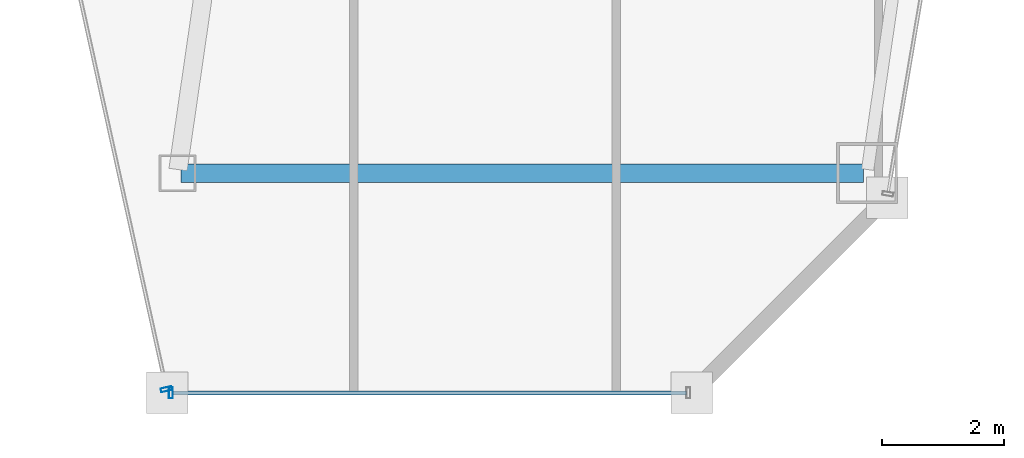
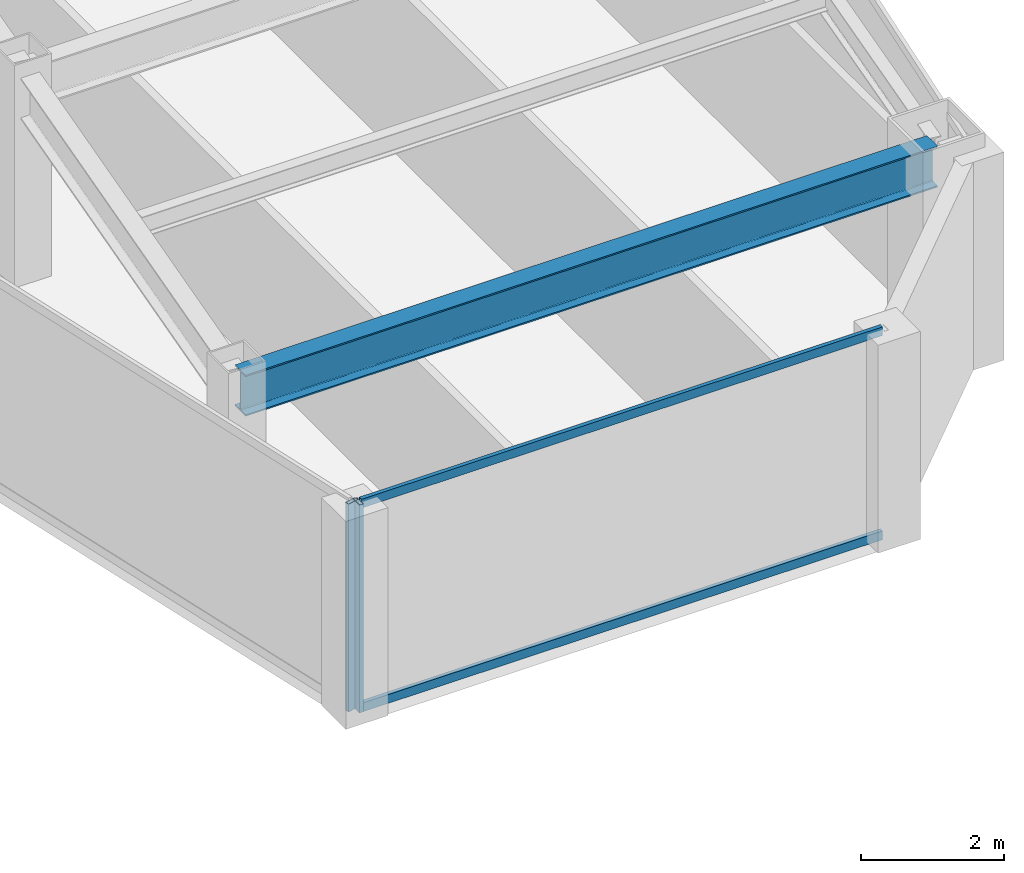
# One storey, part 14 of 36: 4 members, 1 beam, 2 elements without a shape of their own.
"""IFC4 building model written with IfcOpenShell, lengths in metres."""

from ifc_helpers import new_model, si_unit, direction, frame, origin, origin_2d, place, context, subcontext, project, spatial, hollow_rectangle, i_section, extrude, material, material_profile, profile_set, type_object, element, aggregate, save


model = new_model("IFC4")

# Units and contexts
model_context = context("Model", 3, precision=1e-05, world=origin(), true_north=direction((0.0, 1.0)))
body_context = subcontext(model_context, "Body", "Model", "MODEL_VIEW")
ifc_project = project(units=[si_unit("LENGTHUNIT", "METRE"), si_unit("AREAUNIT", "SQUARE_METRE"), si_unit("VOLUMEUNIT", "CUBIC_METRE"), si_unit("PLANEANGLEUNIT", "RADIAN"), si_unit("MASSUNIT", "GRAM", prefix="KILO")], contexts=[model_context])

# Site, building, storey
site_placement = place(None, origin())
site = spatial("IfcSite", under=ifc_project, at=site_placement, CompositionType="ELEMENT")
building_placement = place(site_placement, origin())
building = spatial("IfcBuilding", under=site, at=building_placement, Name="Saevonmaru Cultural Tower", CompositionType="ELEMENT")
storey_placement = place(building_placement, frame((0.0, 0.0, 171.39990234375)))
storey = spatial("IfcBuildingStorey", under=building, at=storey_placement, Name="L38", CompositionType="ELEMENT", Elevation=171.39990234375)

# Beam
ifc_material_1 = material(Name="Steel SM355", Category="steel")
ifc_material_profile_1 = material_profile(ifc_material_1, i_section(OverallWidth=0.300048828125, OverallDepth=0.699951171875, WebThickness=0.012939453125, FlangeThickness=0.02392578125, FilletRadius=0.02587890625, at=origin_2d()), Name="H-700x300x13x24")
ifc_profile_set_1 = profile_set([ifc_material_profile_1], Name="Steel SM355")
beam_type = type_object("IfcBeamType", Name="BM-G-H700", PredefinedType="BEAM", material=ifc_profile_set_1)
beam_placement = place(storey_placement, frame((38.132080078125, 16.0, 3.2001953125), z_axis=(1.0, 0.0, 0.0), x_axis=(0.0, 1.0, 0.0)))
element("IfcBeam", 1, at=beam_placement, inside=storey, type_object=beam_type, Name="L38 East Wing Transverse Girder 1", PredefinedType="BEAM", context=body_context, shape_type="SweptSolid", body=[
    extrude(i_section(OverallWidth=0.300048828125, OverallDepth=0.699951171875, WebThickness=0.012939453125, FlangeThickness=0.02392578125, FilletRadius=0.02587890625, at=origin_2d()), origin(), (0.0, 0.0, 1.0), 11.179931640625),
])

# Curtain wall, member
ifc_material_2 = material(Name="Satin Bronze Anodised Aluminium", Category="aluminium")
curtain_wall_type = type_object("IfcCurtainWallType", Name="CW-TYP-A", PredefinedType="NOTDEFINED", material=ifc_material_2)
curtain_wall_1_placement = place(storey_placement, origin())
curtain_wall_1 = element("IfcCurtainWall", 2, at=curtain_wall_1_placement, inside=storey, type_object=curtain_wall_type, Name="L38 Unitised Curtain Wall E5", PredefinedType="NOTDEFINED")
ifc_material_profile_2 = material_profile(ifc_material_2, hollow_rectangle(XDim=0.06494140625, YDim=0.179931640625, WallThickness=0.00390625, at=origin_2d()), Name="ALU-MULL-180x65x4")
ifc_profile_set_2 = profile_set([ifc_material_profile_2], Name="Satin Bronze Anodised Aluminium")
member_type_1 = type_object("IfcMemberType", Name="ML-CW-180x65", PredefinedType="MULLION", material=ifc_profile_set_2)
member_1_placement = place(storey_placement, frame((37.889404296875, 12.45849609375, 0.0), z_axis=(0.0, 0.0, 1.0), x_axis=(0.215413319953, -0.976522965212, 0.0)))
member_1 = element("IfcMember", 3, at=member_1_placement, type_object=member_type_1, Name="CW-TW-L38-E5 mullion 2", PredefinedType="MULLION", context=body_context, shape_type="SweptSolid", body=[
    extrude(hollow_rectangle(XDim=0.06494140625, YDim=0.179931640625, WallThickness=0.00390625, at=origin_2d()), origin(), (0.0, 0.0, 1.0), 3.550048828125),
])
aggregate(curtain_wall_1, [member_1])

# Curtain wall, members
curtain_wall_2_placement = place(storey_placement, origin())
curtain_wall_2 = element("IfcCurtainWall", 4, at=curtain_wall_2_placement, inside=storey, type_object=curtain_wall_type, Name="L38 Unitised Curtain Wall E6", PredefinedType="NOTDEFINED")
member_2_placement = place(storey_placement, frame((37.962158203125, 12.39990234375, 0.0), z_axis=(0.0, 0.0, 1.0), x_axis=(1.0, 0.0, 0.0)))
member_2 = element("IfcMember", 5, at=member_2_placement, type_object=member_type_1, Name="CW-TW-L38-E6 mullion 1", PredefinedType="MULLION", context=body_context, shape_type="SweptSolid", body=[
    extrude(hollow_rectangle(XDim=0.06494140625, YDim=0.179931640625, WallThickness=0.00390625, at=origin_2d()), origin(), (0.0, 0.0, 1.0), 3.550048828125),
])
ifc_material_profile_3 = material_profile(ifc_material_2, hollow_rectangle(XDim=0.06494140625, YDim=0.14990234375, WallThickness=0.00390625, at=origin_2d()), Name="ALU-TRAN-150x65x4")
ifc_profile_set_3 = profile_set([ifc_material_profile_3], Name="Satin Bronze Anodised Aluminium")
member_type_2 = type_object("IfcMemberType", Name="TR-CW-150x65", PredefinedType="USERDEFINED", material=ifc_profile_set_3)
member_3_placement = place(storey_placement, frame((37.99462890625, 12.39990234375, 0.03271484375), z_axis=(1.0, 0.0, 0.0), x_axis=(0.0, 1.0, 0.0)))
member_3 = element("IfcMember", 6, at=member_3_placement, type_object=member_type_2, Name="CW-TW-L38-E6 transom 1.1", ObjectType="TRANSOM", PredefinedType="USERDEFINED", context=body_context, shape_type="SweptSolid", body=[
    extrude(hollow_rectangle(XDim=0.06494140625, YDim=0.14990234375, WallThickness=0.00390625, at=origin_2d()), origin(), (0.0, 0.0, 1.0), 8.4150390625),
])
member_4_placement = place(storey_placement, frame((37.99462890625, 12.39990234375, 3.517578125), z_axis=(1.0, 0.0, 0.0), x_axis=(0.0, 1.0, 0.0)))
member_4 = element("IfcMember", 7, at=member_4_placement, type_object=member_type_2, Name="CW-TW-L38-E6 transom 1.2", ObjectType="TRANSOM", PredefinedType="USERDEFINED", context=body_context, shape_type="SweptSolid", body=[
    extrude(hollow_rectangle(XDim=0.06494140625, YDim=0.14990234375, WallThickness=0.00390625, at=origin_2d()), origin(), (0.0, 0.0, 1.0), 8.4150390625),
])
aggregate(curtain_wall_2, [member_2, member_3, member_4])

save(model, "model.ifc")
